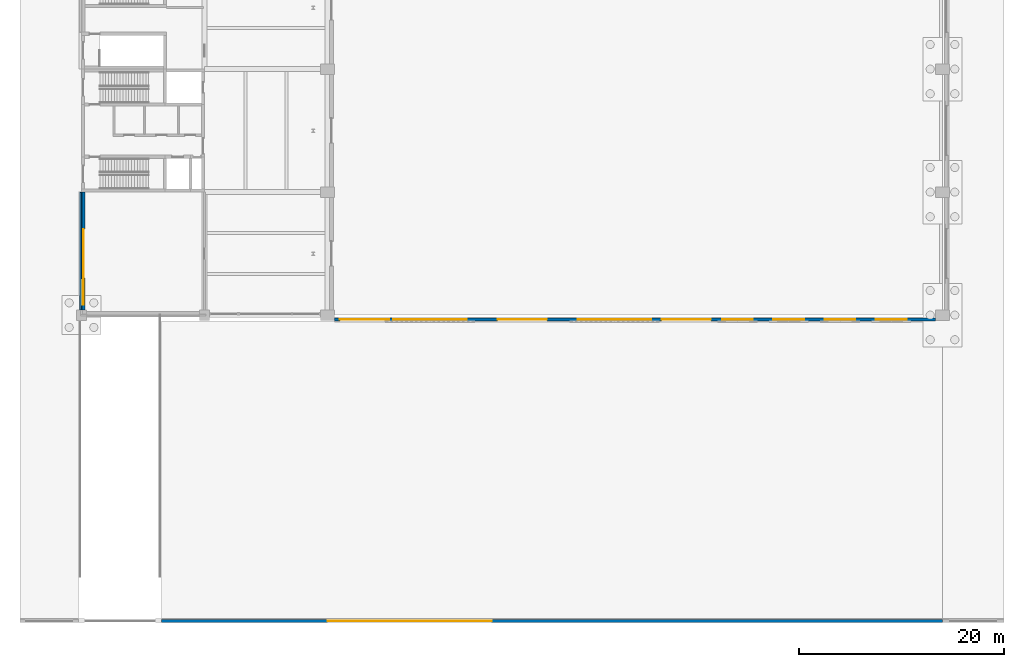
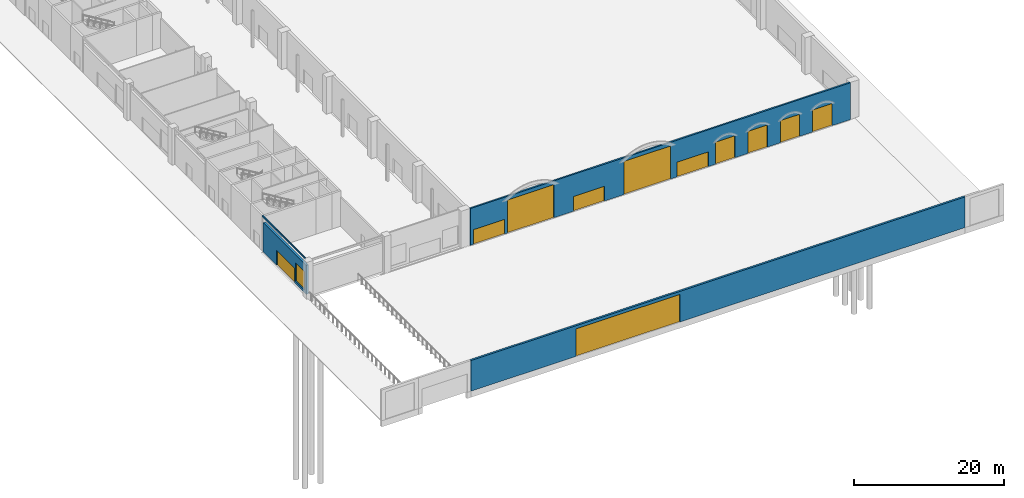
# One storey, part 32 of 59: 11 doors, 4 walls, 1 window, 12 openings.
"""IFC4 building model written with IfcOpenShell, lengths in metres."""

from ifc_helpers import new_model, si_unit, direction, frame, frame_2d, origin, place, context, subcontext, project, spatial, rectangle, extrude, material, layer, layer_set, type_object, element, fill, save


model = new_model("IFC4")

# Units and contexts
model_context = context("Model", 3, precision=1e-05, world=origin(), true_north=direction((0.0, 1.0)))
body_context = subcontext(model_context, "Body", "Model", "MODEL_VIEW")
ifc_project = project(units=[si_unit("LENGTHUNIT", "METRE"), si_unit("AREAUNIT", "SQUARE_METRE"), si_unit("VOLUMEUNIT", "CUBIC_METRE"), si_unit("PLANEANGLEUNIT", "RADIAN"), si_unit("MASSUNIT", "GRAM", prefix="KILO")], contexts=[model_context])

# Site, building, storey
site_placement = place(None, origin())
site = spatial("IfcSite", under=ifc_project, at=site_placement, CompositionType="ELEMENT")
building_placement = place(site_placement, origin())
building = spatial("IfcBuilding", under=site, at=building_placement, Name="Lilac Gate Convention Centre", CompositionType="ELEMENT")
storey_placement = place(building_placement, origin())
storey = spatial("IfcBuildingStorey", under=building, at=storey_placement, Name="L00", CompositionType="ELEMENT", Elevation=0.0)

# Wall, opening, door
ifc_material_1 = material(Name="Concrete C30", Category="concrete")
ifc_layer_1 = layer(ifc_material_1, 0.300048828125)
ifc_layer_set_1 = layer_set([ifc_layer_1], Name="Concrete C30")
wall_type_1 = type_object("IfcWallType", Name="Boundary wall 300", PredefinedType="SOLIDWALL", material=ifc_layer_set_1)
wall_1_placement = place(storey_placement, frame((13.800048828125, 0.155029296875, 0.0), z_axis=(0.0, 0.0, 1.0), x_axis=(1.0, 0.0, 0.0)))
wall_1 = element("IfcWall", 1, at=wall_1_placement, inside=storey, type_object=wall_type_1, Name="Boundary wall Back Street Y", PredefinedType="SOLIDWALL", context=body_context, shape_type="SweptSolid", body=[
    extrude(rectangle(XDim=76.199951171875, YDim=0.300048828125, at=frame_2d((38.10009765625, 0.0))), origin(), (0.0, 0.0, 1.0), 5.0),
])
opening_1_placement = place(wall_1_placement, frame((16.199951171875, 0.0, 0.0)))
opening_1 = element("IfcOpeningElement", 2, at=opening_1_placement, cuts=wall_1, Name="Opening ED-038", PredefinedType="OPENING", context=body_context, shape_type="SweptSolid", body=[
    extrude(rectangle(XDim=16.0, YDim=4.5, at=frame_2d((8.0, 2.25))), frame((0.0, 0.159912109375, 0.0), z_axis=(0.0, -1.0, 0.0), x_axis=(1.0, 0.0, 0.0)), (0.0, 0.0, 1.0), 0.320068359375),
])
ifc_material_2 = material(Name="Steel Q235B", Category="steel")
door_type_1 = type_object("IfcDoorType", Name="Truck gate 16000 x 4500", OperationType="SLIDING_TO_LEFT", PredefinedType="DOOR", material=ifc_material_2)
door_1_placement = place(opening_1_placement, frame((16.0, 0.0, 0.0), z_axis=(0.0, 0.0, 1.0), x_axis=(-1.0, 0.0, 0.0)))
door_1 = element("IfcDoor", 3, at=door_1_placement, inside=storey, type_object=door_type_1, Name="Truck gate T1", OperationType="SLIDING_TO_RIGHT", OverallHeight=4.5, OverallWidth=16.0, PredefinedType="DOOR", context=body_context, shape_type="SweptSolid", body=[
    extrude(rectangle(XDim=16.0, YDim=4.5, at=frame_2d((8.0, 2.25))), frame((0.0, 0.02490234375, 0.0), z_axis=(0.0, -1.0, 0.0), x_axis=(1.0, 0.0, 0.0)), (0.0, 0.0, 1.0), 0.050048828125),
])
fill(opening_1, door_1)

# Wall, openings, doors
ifc_material_3 = material(Name="Insulated sandwich panel, steel faces Q235, mineral wool core", Category="steel")
ifc_layer_2 = layer(ifc_material_3, 0.25)
ifc_layer_set_2 = layer_set([ifc_layer_2], Name="Insulated sandwich panel, steel faces Q235, mineral wool core")
wall_type_2 = type_object("IfcWallType", Name="Hall insulated wall panel 250", PredefinedType="STANDARD", material=ifc_layer_set_2)
wall_2_placement = place(storey_placement, frame((30.699951171875, 29.574951171875, 0.0), z_axis=(0.0, 0.0, 1.0), x_axis=(1.0, 0.0, 0.0)))
wall_2 = element("IfcWall", 4, at=wall_2_placement, inside=storey, type_object=wall_type_2, Name="External wall hall south HS L00 1", PredefinedType="STANDARD", context=body_context, shape_type="SweptSolid", body=[
    extrude(rectangle(XDim=58.60009765625, YDim=0.25, at=frame_2d((29.300048828125, 0.0))), origin(), (0.0, 0.0, 1.0), 6.0),
])
opening_2_placement = place(wall_2_placement, frame((5.699951171875, 0.0, 0.0)))
opening_2 = element("IfcOpeningElement", 5, at=opening_2_placement, cuts=wall_2, Name="Opening ED-013", PredefinedType="OPENING", context=body_context, shape_type="SweptSolid", body=[
    extrude(rectangle(XDim=7.199951171875, YDim=5.39990234375, at=frame_2d((3.60009765625, 2.699951171875))), frame((0.0, 0.135009765625, 0.0), z_axis=(0.0, -1.0, 0.0), x_axis=(1.0, 0.0, 0.0)), (0.0, 0.0, 1.0), 0.27001953125),
])
opening_3_placement = place(wall_2_placement, frame((23.699951171875, 0.0, 0.0)))
opening_3 = element("IfcOpeningElement", 6, at=opening_3_placement, cuts=wall_2, Name="Opening ED-014", PredefinedType="OPENING", context=body_context, shape_type="SweptSolid", body=[
    extrude(rectangle(XDim=7.199951171875, YDim=5.39990234375, at=frame_2d((3.60009765625, 2.699951171875))), frame((0.0, 0.135009765625, 0.0), z_axis=(0.0, -1.0, 0.0), x_axis=(1.0, 0.0, 0.0)), (0.0, 0.0, 1.0), 0.27001953125),
])
opening_4_placement = place(wall_2_placement, frame((37.800048828125, 0.0, 0.0)))
opening_4 = element("IfcOpeningElement", 7, at=opening_4_placement, cuts=wall_2, Name="Opening ED-015", PredefinedType="OPENING", context=body_context, shape_type="SweptSolid", body=[
    extrude(rectangle(XDim=3.0, YDim=3.60009765625, at=frame_2d((1.5, 1.800048828125))), frame((0.0, 0.135009765625, 0.0), z_axis=(0.0, -1.0, 0.0), x_axis=(1.0, 0.0, 0.0)), (0.0, 0.0, 1.0), 0.27001953125),
])
opening_5_placement = place(wall_2_placement, frame((42.800048828125, 0.0, 0.0)))
opening_5 = element("IfcOpeningElement", 8, at=opening_5_placement, cuts=wall_2, Name="Opening ED-016", PredefinedType="OPENING", context=body_context, shape_type="SweptSolid", body=[
    extrude(rectangle(XDim=3.0, YDim=3.60009765625, at=frame_2d((1.5, 1.800048828125))), frame((0.0, 0.135009765625, 0.0), z_axis=(0.0, -1.0, 0.0), x_axis=(1.0, 0.0, 0.0)), (0.0, 0.0, 1.0), 0.27001953125),
])
opening_6_placement = place(wall_2_placement, frame((47.800048828125, 0.0, 0.0)))
opening_6 = element("IfcOpeningElement", 9, at=opening_6_placement, cuts=wall_2, Name="Opening ED-017", PredefinedType="OPENING", context=body_context, shape_type="SweptSolid", body=[
    extrude(rectangle(XDim=3.0, YDim=3.60009765625, at=frame_2d((1.5, 1.800048828125))), frame((0.0, 0.135009765625, 0.0), z_axis=(0.0, -1.0, 0.0), x_axis=(1.0, 0.0, 0.0)), (0.0, 0.0, 1.0), 0.27001953125),
])
opening_7_placement = place(wall_2_placement, frame((52.800048828125, 0.0, 0.0)))
opening_7 = element("IfcOpeningElement", 10, at=opening_7_placement, cuts=wall_2, Name="Opening ED-018", PredefinedType="OPENING", context=body_context, shape_type="SweptSolid", body=[
    extrude(rectangle(XDim=3.0, YDim=3.60009765625, at=frame_2d((1.5, 1.800048828125))), frame((0.0, 0.135009765625, 0.0), z_axis=(0.0, -1.0, 0.0), x_axis=(1.0, 0.0, 0.0)), (0.0, 0.0, 1.0), 0.27001953125),
])
opening_8_placement = place(wall_2_placement, frame((0.5, 0.0, 0.0)))
opening_8 = element("IfcOpeningElement", 11, at=opening_8_placement, cuts=wall_2, Name="Opening ED-019", PredefinedType="OPENING", context=body_context, shape_type="SweptSolid", body=[
    extrude(rectangle(XDim=4.800048828125, YDim=2.39990234375, at=frame_2d((2.39990234375, 1.199951171875))), frame((0.0, 0.135009765625, 0.0), z_axis=(0.0, -1.0, 0.0), x_axis=(1.0, 0.0, 0.0)), (0.0, 0.0, 1.0), 0.27001953125),
])
opening_9_placement = place(wall_2_placement, frame((15.89990234375, 0.0, 0.0)))
opening_9 = element("IfcOpeningElement", 12, at=opening_9_placement, cuts=wall_2, Name="Opening ED-020", PredefinedType="OPENING", context=body_context, shape_type="SweptSolid", body=[
    extrude(rectangle(XDim=4.800048828125, YDim=2.39990234375, at=frame_2d((2.39990234375, 1.199951171875))), frame((0.0, 0.135009765625, 0.0), z_axis=(0.0, -1.0, 0.0), x_axis=(1.0, 0.0, 0.0)), (0.0, 0.0, 1.0), 0.27001953125),
])
opening_10_placement = place(wall_2_placement, frame((31.89990234375, 0.0, 0.0)))
opening_10 = element("IfcOpeningElement", 13, at=opening_10_placement, cuts=wall_2, Name="Opening ED-021", PredefinedType="OPENING", context=body_context, shape_type="SweptSolid", body=[
    extrude(rectangle(XDim=4.800048828125, YDim=2.39990234375, at=frame_2d((2.39990234375, 1.199951171875))), frame((0.0, 0.135009765625, 0.0), z_axis=(0.0, -1.0, 0.0), x_axis=(1.0, 0.0, 0.0)), (0.0, 0.0, 1.0), 0.27001953125),
])
door_type_2 = type_object("IfcDoorType", Name="Dock door 3000 x 3600", OperationType="SLIDING_TO_LEFT", PredefinedType="DOOR", material=ifc_material_2)
door_2_placement = place(opening_4_placement, frame((3.0, 0.0, 0.0), z_axis=(0.0, 0.0, 1.0), x_axis=(-1.0, 0.0, 0.0)))
door_2 = element("IfcDoor", 14, at=door_2_placement, inside=storey, type_object=door_type_2, Name="Dock door 1", OperationType="SLIDING_TO_LEFT", OverallHeight=3.60009765625, OverallWidth=3.0, PredefinedType="DOOR", context=body_context, shape_type="SweptSolid", body=[
    extrude(rectangle(XDim=3.0, YDim=3.60009765625, at=frame_2d((1.5, 1.800048828125))), frame((0.0, 0.02490234375, 0.0), z_axis=(0.0, -1.0, 0.0), x_axis=(1.0, 0.0, 0.0)), (0.0, 0.0, 1.0), 0.050048828125),
])
fill(opening_4, door_2)
door_3_placement = place(opening_5_placement, frame((3.0, 0.0, 0.0), z_axis=(0.0, 0.0, 1.0), x_axis=(-1.0, 0.0, 0.0)))
door_3 = element("IfcDoor", 15, at=door_3_placement, inside=storey, type_object=door_type_2, Name="Dock door 2", OperationType="SLIDING_TO_LEFT", OverallHeight=3.60009765625, OverallWidth=3.0, PredefinedType="DOOR", context=body_context, shape_type="SweptSolid", body=[
    extrude(rectangle(XDim=3.0, YDim=3.60009765625, at=frame_2d((1.5, 1.800048828125))), frame((0.0, 0.02490234375, 0.0), z_axis=(0.0, -1.0, 0.0), x_axis=(1.0, 0.0, 0.0)), (0.0, 0.0, 1.0), 0.050048828125),
])
fill(opening_5, door_3)
door_4_placement = place(opening_6_placement, frame((3.0, 0.0, 0.0), z_axis=(0.0, 0.0, 1.0), x_axis=(-1.0, 0.0, 0.0)))
door_4 = element("IfcDoor", 16, at=door_4_placement, inside=storey, type_object=door_type_2, Name="Dock door 3", OperationType="SLIDING_TO_LEFT", OverallHeight=3.60009765625, OverallWidth=3.0, PredefinedType="DOOR", context=body_context, shape_type="SweptSolid", body=[
    extrude(rectangle(XDim=3.0, YDim=3.60009765625, at=frame_2d((1.5, 1.800048828125))), frame((0.0, 0.02490234375, 0.0), z_axis=(0.0, -1.0, 0.0), x_axis=(1.0, 0.0, 0.0)), (0.0, 0.0, 1.0), 0.050048828125),
])
fill(opening_6, door_4)
door_5_placement = place(opening_7_placement, frame((3.0, 0.0, 0.0), z_axis=(0.0, 0.0, 1.0), x_axis=(-1.0, 0.0, 0.0)))
door_5 = element("IfcDoor", 17, at=door_5_placement, inside=storey, type_object=door_type_2, Name="Dock door 4", OperationType="SLIDING_TO_LEFT", OverallHeight=3.60009765625, OverallWidth=3.0, PredefinedType="DOOR", context=body_context, shape_type="SweptSolid", body=[
    extrude(rectangle(XDim=3.0, YDim=3.60009765625, at=frame_2d((1.5, 1.800048828125))), frame((0.0, 0.02490234375, 0.0), z_axis=(0.0, -1.0, 0.0), x_axis=(1.0, 0.0, 0.0)), (0.0, 0.0, 1.0), 0.050048828125),
])
fill(opening_7, door_5)
door_type_3 = type_object("IfcDoorType", Name="Drive-in door 7200 x 5400", OperationType="SLIDING_TO_LEFT", PredefinedType="DOOR", material=ifc_material_2)
door_6_placement = place(opening_2_placement, frame((7.199951171875, 0.0, 0.0), z_axis=(0.0, 0.0, 1.0), x_axis=(-1.0, 0.0, 0.0)))
door_6 = element("IfcDoor", 18, at=door_6_placement, inside=storey, type_object=door_type_3, Name="Drive-in door V1", OperationType="SLIDING_TO_RIGHT", OverallHeight=5.39990234375, OverallWidth=7.199951171875, PredefinedType="DOOR", context=body_context, shape_type="SweptSolid", body=[
    extrude(rectangle(XDim=7.199951171875, YDim=5.39990234375, at=frame_2d((3.60009765625, 2.699951171875))), frame((0.0, 0.02490234375, 0.0), z_axis=(0.0, -1.0, 0.0), x_axis=(1.0, 0.0, 0.0)), (0.0, 0.0, 1.0), 0.050048828125),
])
fill(opening_2, door_6)
door_7_placement = place(opening_3_placement, frame((7.199951171875, 0.0, 0.0), z_axis=(0.0, 0.0, 1.0), x_axis=(-1.0, 0.0, 0.0)))
door_7 = element("IfcDoor", 19, at=door_7_placement, inside=storey, type_object=door_type_3, Name="Drive-in door V2", OperationType="SLIDING_TO_RIGHT", OverallHeight=5.39990234375, OverallWidth=7.199951171875, PredefinedType="DOOR", context=body_context, shape_type="SweptSolid", body=[
    extrude(rectangle(XDim=7.199951171875, YDim=5.39990234375, at=frame_2d((3.60009765625, 2.699951171875))), frame((0.0, 0.02490234375, 0.0), z_axis=(0.0, -1.0, 0.0), x_axis=(1.0, 0.0, 0.0)), (0.0, 0.0, 1.0), 0.050048828125),
])
fill(opening_3, door_7)
door_type_4 = type_object("IfcDoorType", Name="Exit door set 4800 x 2400", OperationType="DOUBLE_DOOR_SINGLE_SWING", PredefinedType="DOOR", material=ifc_material_2)
door_8_placement = place(opening_8_placement, frame((4.800048828125, 0.0, 0.0), z_axis=(0.0, 0.0, 1.0), x_axis=(-1.0, 0.0, 0.0)))
door_8 = element("IfcDoor", 20, at=door_8_placement, inside=storey, type_object=door_type_4, Name="Pedestrian exit doors G8", OperationType="DOUBLE_DOOR_SINGLE_SWING", OverallHeight=2.39990234375, OverallWidth=4.800048828125, PredefinedType="DOOR", context=body_context, shape_type="SweptSolid", body=[
    extrude(rectangle(XDim=4.800048828125, YDim=2.39990234375, at=frame_2d((2.39990234375, 1.199951171875))), frame((0.0, 0.02490234375, 0.0), z_axis=(0.0, -1.0, 0.0), x_axis=(1.0, 0.0, 0.0)), (0.0, 0.0, 1.0), 0.050048828125),
])
fill(opening_8, door_8)
door_9_placement = place(opening_9_placement, frame((4.800048828125, 0.0, 0.0), z_axis=(0.0, 0.0, 1.0), x_axis=(-1.0, 0.0, 0.0)))
door_9 = element("IfcDoor", 21, at=door_9_placement, inside=storey, type_object=door_type_4, Name="Pedestrian exit doors G9", OperationType="DOUBLE_DOOR_SINGLE_SWING", OverallHeight=2.39990234375, OverallWidth=4.800048828125, PredefinedType="DOOR", context=body_context, shape_type="SweptSolid", body=[
    extrude(rectangle(XDim=4.800048828125, YDim=2.39990234375, at=frame_2d((2.39990234375, 1.199951171875))), frame((0.0, 0.02490234375, 0.0), z_axis=(0.0, -1.0, 0.0), x_axis=(1.0, 0.0, 0.0)), (0.0, 0.0, 1.0), 0.050048828125),
])
fill(opening_9, door_9)
door_10_placement = place(opening_10_placement, frame((4.800048828125, 0.0, 0.0), z_axis=(0.0, 0.0, 1.0), x_axis=(-1.0, 0.0, 0.0)))
door_10 = element("IfcDoor", 22, at=door_10_placement, inside=storey, type_object=door_type_4, Name="Pedestrian exit doors G10", OperationType="DOUBLE_DOOR_SINGLE_SWING", OverallHeight=2.39990234375, OverallWidth=4.800048828125, PredefinedType="DOOR", context=body_context, shape_type="SweptSolid", body=[
    extrude(rectangle(XDim=4.800048828125, YDim=2.39990234375, at=frame_2d((2.39990234375, 1.199951171875))), frame((0.0, 0.02490234375, 0.0), z_axis=(0.0, -1.0, 0.0), x_axis=(1.0, 0.0, 0.0)), (0.0, 0.0, 1.0), 0.050048828125),
])
fill(opening_10, door_10)

# Wall, openings, door, window
ifc_material_4 = material(Name="Ochre mineral render")
ifc_layer_3 = layer(ifc_material_4, 0.02001953125)
ifc_material_5 = material(Name="Concrete C40 precast", Category="concrete")
ifc_layer_4 = layer(ifc_material_5, 0.06005859375)
ifc_material_6 = material(Name="Ventilated air cavity")
ifc_layer_5 = layer(ifc_material_6, 0.030029296875)
ifc_material_7 = material(Name="Mineral wool insulation")
ifc_layer_6 = layer(ifc_material_7, 0.169921875)
ifc_material_8 = material(Name="Steel stud Q345 and gypsum lining", Category="steel")
ifc_layer_7 = layer(ifc_material_8, 0.070068359375)
ifc_layer_set_3 = layer_set([ifc_layer_3, ifc_layer_4, ifc_layer_5, ifc_layer_6, ifc_layer_7], Name="Ochre mineral render, Concrete C40 precast, Ventilated air cavity, Mineral wool insulation, Steel stud Q345 and gypsum lining")
wall_type_3 = type_object("IfcWallType", Name="Podium precast wall 350", PredefinedType="STANDARD", material=ifc_layer_set_3)
wall_3_placement = place(storey_placement, frame((6.175048828125, 42.0, 0.0), z_axis=(0.0, 0.0, 1.0), x_axis=(0.0, -1.0, 0.0)))
wall_3 = element("IfcWall", 23, at=wall_3_placement, inside=storey, type_object=wall_type_3, Name="External wall west PW L00 12", PredefinedType="STANDARD", context=body_context, shape_type="SweptSolid", body=[
    extrude(rectangle(XDim=11.5, YDim=0.35009765625, at=frame_2d((5.75, 0.0))), origin(), (0.0, 0.0, 1.0), 4.75),
])
opening_11_placement = place(wall_3_placement, frame((8.60009765625, 0.0, 0.449951171875)))
opening_11 = element("IfcOpeningElement", 24, at=opening_11_placement, cuts=wall_3, Name="Opening W6", PredefinedType="OPENING", context=body_context, shape_type="SweptSolid", body=[
    extrude(rectangle(XDim=2.39990234375, YDim=3.0, at=frame_2d((1.199951171875, 1.5))), frame((0.0, 0.18505859375, 0.0), z_axis=(0.0, -1.0, 0.0), x_axis=(1.0, 0.0, 0.0)), (0.0, 0.0, 1.0), 0.3701171875),
])
opening_12_placement = place(wall_3_placement, frame((3.60009765625, 0.0, 0.0)))
opening_12 = element("IfcOpeningElement", 25, at=opening_12_placement, cuts=wall_3, Name="Opening ED-012", PredefinedType="OPENING", context=body_context, shape_type="SweptSolid", body=[
    extrude(rectangle(XDim=4.800048828125, YDim=2.39990234375, at=frame_2d((2.39990234375, 1.199951171875))), frame((0.0, 0.18505859375, 0.0), z_axis=(0.0, -1.0, 0.0), x_axis=(1.0, 0.0, 0.0)), (0.0, 0.0, 1.0), 0.3701171875),
])
door_11_placement = place(opening_12_placement, frame((4.800048828125, 0.0, 0.0), z_axis=(0.0, 0.0, 1.0), x_axis=(-1.0, 0.0, 0.0)))
door_11 = element("IfcDoor", 26, at=door_11_placement, inside=storey, type_object=door_type_4, Name="Pedestrian exit doors G7", OperationType="DOUBLE_DOOR_SINGLE_SWING", OverallHeight=2.39990234375, OverallWidth=4.800048828125, PredefinedType="DOOR", context=body_context, shape_type="SweptSolid", body=[
    extrude(rectangle(XDim=4.800048828125, YDim=2.39990234375, at=frame_2d((2.39990234375, 1.199951171875))), frame((0.0, 0.02490234375, 0.0), z_axis=(0.0, -1.0, 0.0), x_axis=(1.0, 0.0, 0.0)), (0.0, 0.0, 1.0), 0.050048828125),
])
fill(opening_12, door_11)
ifc_material_9 = material(Name="Aluminium framed double glazing", Category="aluminium")
window_type = type_object("IfcWindowType", Name="Shopfront window 2400 x 3000", PartitioningType="TRIPLE_PANEL_VERTICAL", PredefinedType="WINDOW", material=ifc_material_9)
window_placement = place(opening_11_placement, origin())
window = element("IfcWindow", 27, at=window_placement, inside=storey, type_object=window_type, Name="Window L00 west 33", OverallHeight=3.0, OverallWidth=2.39990234375, PartitioningType="SINGLE_PANEL", PredefinedType="WINDOW", context=body_context, shape_type="SweptSolid", body=[
    extrude(rectangle(XDim=2.39990234375, YDim=3.0, at=frame_2d((1.199951171875, 1.5))), frame((0.0, 0.030029296875, 0.0), z_axis=(0.0, -1.0, 0.0), x_axis=(1.0, 0.0, 0.0)), (0.0, 0.0, 1.0), 0.06005859375),
])
fill(opening_11, window)

# Wall
ifc_layer_8 = layer(ifc_material_5, 0.1298828125)
ifc_material_10 = material(Name="Teal glazed cladding")
ifc_layer_9 = layer(ifc_material_10, 0.02001953125)
ifc_layer_set_4 = layer_set([ifc_layer_8, ifc_layer_9], Name="Concrete C40 precast, Teal glazed cladding")
wall_type_4 = type_object("IfcWallType", Name="Precast band teal 150", PredefinedType="STANDARD", material=ifc_layer_set_4)
wall_4_placement = place(storey_placement, frame((5.925048828125, 42.0, 5.75), z_axis=(0.0, 0.0, 1.0), x_axis=(0.0, -1.0, 0.0)))
element("IfcWall", 28, at=wall_4_placement, inside=storey, type_object=wall_type_4, Name="Precast band PW L00 12", PredefinedType="STANDARD", context=body_context, shape_type="SweptSolid", body=[
    extrude(rectangle(XDim=11.5, YDim=0.14990234375, at=frame_2d((5.75, 0.0))), origin(), (0.0, 0.0, 1.0), 0.25),
])

save(model, "model.ifc")
